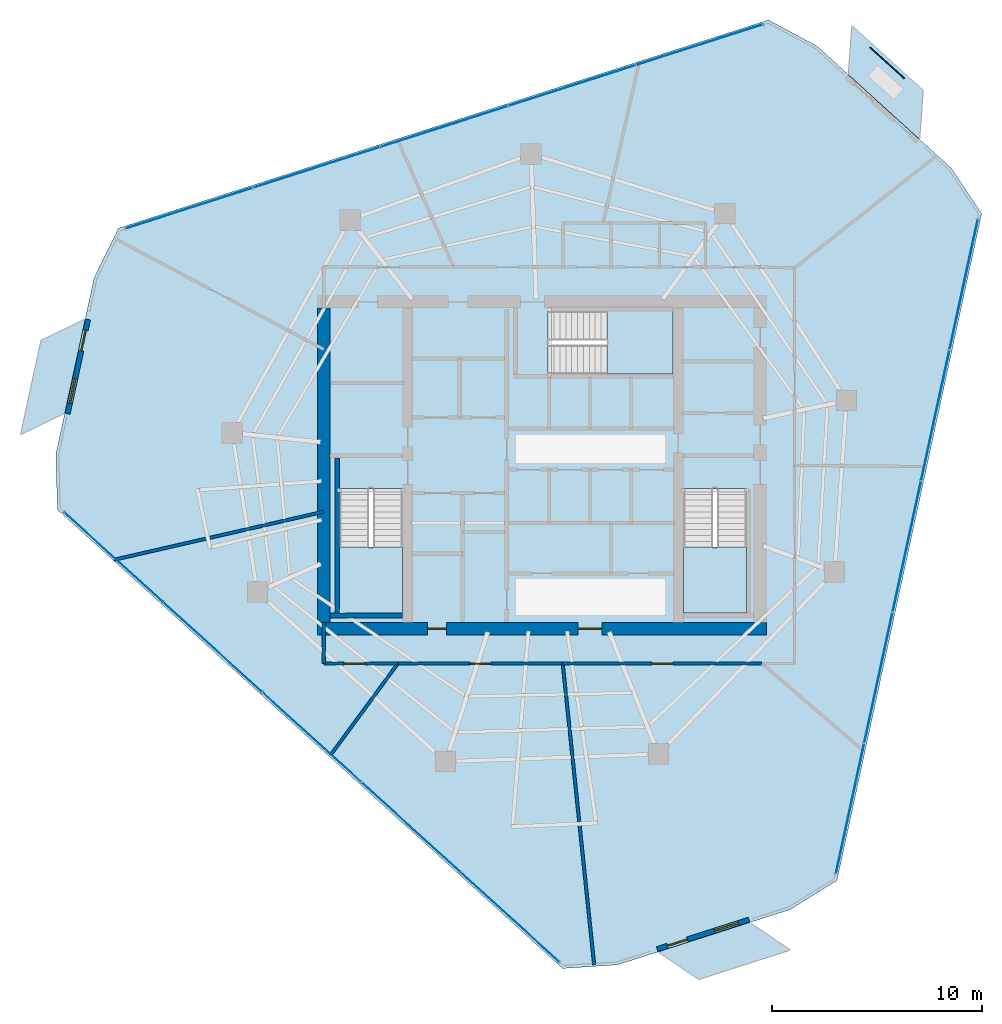
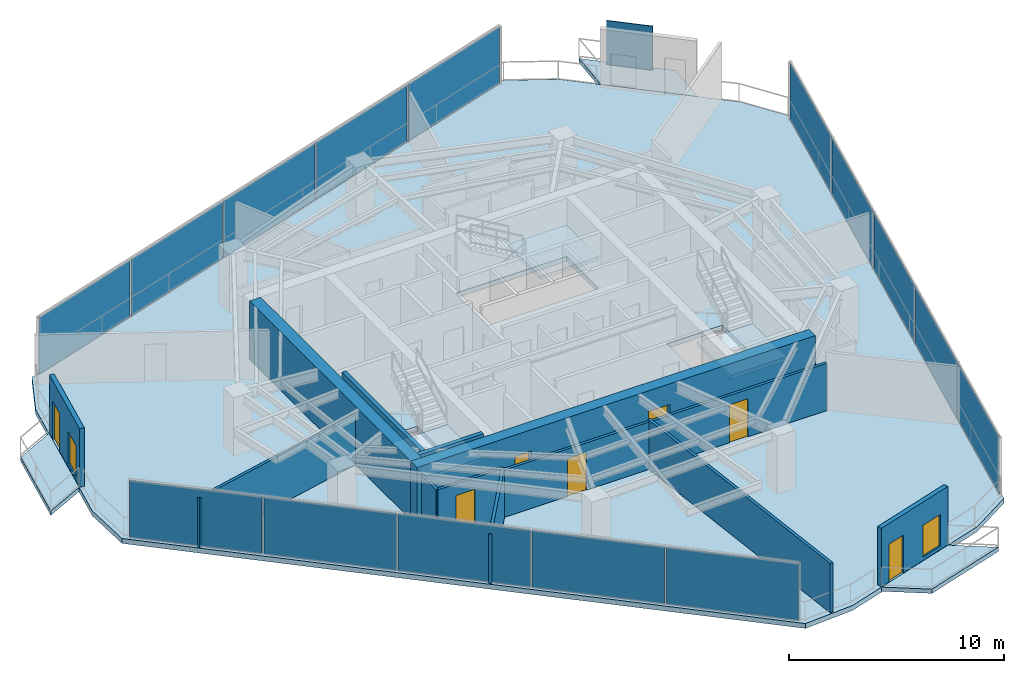
# One storey, part 16 of 21: 16 plates, 13 walls, 7 doors, 7 slabs, 2 windows, 9 openings, 6 elements without a shape of their own.
"""IFC4 building model written with IfcOpenShell, lengths in metres."""

from ifc_helpers import new_model, si_unit, direction, frame, frame_2d, origin, origin_2d, place, context, subcontext, project, spatial, polyline, rectangle, outline, extrude, material, layer, layer_set, type_object, element, fill, aggregate, save


model = new_model("IFC4")

# Units and contexts
model_context = context("Model", 3, precision=1e-05, world=origin(), true_north=direction((0.0, 1.0)))
body_context = subcontext(model_context, "Body", "Model", "MODEL_VIEW")
ifc_project = project(units=[si_unit("LENGTHUNIT", "METRE"), si_unit("AREAUNIT", "SQUARE_METRE"), si_unit("VOLUMEUNIT", "CUBIC_METRE"), si_unit("PLANEANGLEUNIT", "RADIAN"), si_unit("MASSUNIT", "GRAM", prefix="KILO")], contexts=[model_context])

# Site, building, storey
site_placement = place(None, origin())
site = spatial("IfcSite", under=ifc_project, at=site_placement, CompositionType="ELEMENT")
building_placement = place(site_placement, origin())
building = spatial("IfcBuilding", under=site, at=building_placement, Name="Qarnah Convention Tower", CompositionType="ELEMENT")
storey_placement = place(building_placement, frame((0.0, 0.0, 132.89990234375)))
storey = spatial("IfcBuildingStorey", under=building, at=storey_placement, Name="L35", CompositionType="ELEMENT", Elevation=132.89990234375)

# Curtain wall, plates
ifc_material_1 = material(Name="Tempered Low-E dark glass", Category="glass")
ifc_layer_1 = layer(ifc_material_1, 0.172119140625)
ifc_layer_set_1 = layer_set([ifc_layer_1], Name="Tempered Low-E dark glass")
curtain_wall_type = type_object("IfcCurtainWallType", Name="CWS-03", PredefinedType="NOTDEFINED", material=ifc_layer_set_1)
curtain_wall_1_placement = place(storey_placement, origin())
curtain_wall_1 = element("IfcCurtainWall", 1, at=curtain_wall_1_placement, inside=storey, type_object=curtain_wall_type, Name="L35 unitised curtain wall CW-L35-F1", PredefinedType="NOTDEFINED")
ifc_layer_2 = layer(ifc_material_1, 0.031982421875)
ifc_layer_set_2 = layer_set([ifc_layer_2], Name="Tempered Low-E dark glass")
plate_type_1 = type_object("IfcPlateType", Name="PNL-T3", PredefinedType="CURTAIN_PANEL", material=ifc_layer_set_2)
plate_1_placement = place(storey_placement, frame((35.685546875, 4.849853515625, 0.0400390625), z_axis=(0.0, 0.0, 1.0), x_axis=(-0.740352220508, 0.672219152947, 0.0)))
plate_1 = element("IfcPlate", 2, at=plate_1_placement, type_object=plate_type_1, Name="CW-L35-F1 curtain panel 1.1", PredefinedType="CURTAIN_PANEL", context=body_context, shape_type="SweptSolid", body=[
    extrude(rectangle(XDim=6.3076171875, YDim=0.031982421875, at=origin_2d()), origin(), (0.0, 0.0, 1.0), 3.239990234375),
])
plate_2_placement = place(storey_placement, frame((30.95654296875, 9.143798828125, 0.0400390625), z_axis=(0.0, 0.0, 1.0), x_axis=(-0.740352220508, 0.672219152947, 0.0)))
plate_2 = element("IfcPlate", 3, at=plate_2_placement, type_object=plate_type_1, Name="CW-L35-F1 curtain panel 2.1", PredefinedType="CURTAIN_PANEL", context=body_context, shape_type="SweptSolid", body=[
    extrude(rectangle(XDim=6.3076171875, YDim=0.031982421875, at=origin_2d()), origin(), (0.0, 0.0, 1.0), 3.239990234375),
])
plate_3_placement = place(storey_placement, frame((26.2275390625, 13.4375, 0.0400390625), z_axis=(0.0, 0.0, 1.0), x_axis=(-0.740352220508, 0.672219152947, 0.0)))
plate_3 = element("IfcPlate", 4, at=plate_3_placement, type_object=plate_type_1, Name="CW-L35-F1 curtain panel 3.1", PredefinedType="CURTAIN_PANEL", context=body_context, shape_type="SweptSolid", body=[
    extrude(rectangle(XDim=6.3076171875, YDim=0.031982421875, at=origin_2d()), origin(), (0.0, 0.0, 1.0), 3.239990234375),
])
plate_4_placement = place(storey_placement, frame((21.49853515625, 17.731201171875, 0.0400390625), z_axis=(0.0, 0.0, 1.0), x_axis=(-0.740352220508, 0.672219152947, 0.0)))
plate_4 = element("IfcPlate", 5, at=plate_4_placement, type_object=plate_type_1, Name="CW-L35-F1 curtain panel 4.1", PredefinedType="CURTAIN_PANEL", context=body_context, shape_type="SweptSolid", body=[
    extrude(rectangle(XDim=6.3076171875, YDim=0.031982421875, at=origin_2d()), origin(), (0.0, 0.0, 1.0), 3.239990234375),
])
plate_5_placement = place(storey_placement, frame((16.76953125, 22.025146484375, 0.0400390625), z_axis=(0.0, 0.0, 1.0), x_axis=(-0.740352220508, 0.672219152947, 0.0)))
plate_5 = element("IfcPlate", 6, at=plate_5_placement, type_object=plate_type_1, Name="CW-L35-F1 curtain panel 5.1", PredefinedType="CURTAIN_PANEL", context=body_context, shape_type="SweptSolid", body=[
    extrude(rectangle(XDim=6.3076171875, YDim=0.031982421875, at=origin_2d()), origin(), (0.0, 0.0, 1.0), 3.239990234375),
])
aggregate(curtain_wall_1, [plate_1, plate_2, plate_3, plate_4, plate_5])

curtain_wall_2_placement = place(storey_placement, origin())
curtain_wall_2 = element("IfcCurtainWall", 7, at=curtain_wall_2_placement, inside=storey, type_object=curtain_wall_type, Name="L35 unitised curtain wall CW-L35-F2", PredefinedType="NOTDEFINED")
plate_6_placement = place(storey_placement, frame((20.377685546875, 38.658203125, 0.0400390625), z_axis=(0.0, 0.0, 1.0), x_axis=(0.952343406787, 0.305027925851, 0.0)))
plate_6 = element("IfcPlate", 8, at=plate_6_placement, type_object=plate_type_1, Name="CW-L35-F2 curtain panel 1.1", PredefinedType="CURTAIN_PANEL", context=body_context, shape_type="SweptSolid", body=[
    extrude(rectangle(XDim=6.3076171875, YDim=0.031982421875, at=origin_2d()), origin(), (0.0, 0.0, 1.0), 3.239990234375),
])
plate_7_placement = place(storey_placement, frame((26.460693359375, 40.606689453125, 0.0400390625), z_axis=(0.0, 0.0, 1.0), x_axis=(0.952343406787, 0.305027925851, 0.0)))
plate_7 = element("IfcPlate", 9, at=plate_7_placement, type_object=plate_type_1, Name="CW-L35-F2 curtain panel 2.1", PredefinedType="CURTAIN_PANEL", context=body_context, shape_type="SweptSolid", body=[
    extrude(rectangle(XDim=6.3076171875, YDim=0.031982421875, at=origin_2d()), origin(), (0.0, 0.0, 1.0), 3.239990234375),
])
plate_8_placement = place(storey_placement, frame((32.5439453125, 42.554931640625, 0.0400390625), z_axis=(0.0, 0.0, 1.0), x_axis=(0.952343406787, 0.305027925851, 0.0)))
plate_8 = element("IfcPlate", 10, at=plate_8_placement, type_object=plate_type_1, Name="CW-L35-F2 curtain panel 3.1", PredefinedType="CURTAIN_PANEL", context=body_context, shape_type="SweptSolid", body=[
    extrude(rectangle(XDim=6.3076171875, YDim=0.031982421875, at=origin_2d()), origin(), (0.0, 0.0, 1.0), 3.239990234375),
])
plate_9_placement = place(storey_placement, frame((38.627197265625, 44.50341796875, 0.0400390625), z_axis=(0.0, 0.0, 1.0), x_axis=(0.952343406787, 0.305027925851, 0.0)))
plate_9 = element("IfcPlate", 11, at=plate_9_placement, type_object=plate_type_1, Name="CW-L35-F2 curtain panel 4.1", PredefinedType="CURTAIN_PANEL", context=body_context, shape_type="SweptSolid", body=[
    extrude(rectangle(XDim=6.3076171875, YDim=0.031982421875, at=origin_2d()), origin(), (0.0, 0.0, 1.0), 3.239990234375),
])
plate_10_placement = place(storey_placement, frame((44.71044921875, 46.451904296875, 0.0400390625), z_axis=(0.0, 0.0, 1.0), x_axis=(0.952343406787, 0.305027925851, 0.0)))
plate_10 = element("IfcPlate", 12, at=plate_10_placement, type_object=plate_type_1, Name="CW-L35-F2 curtain panel 5.1", PredefinedType="CURTAIN_PANEL", context=body_context, shape_type="SweptSolid", body=[
    extrude(rectangle(XDim=6.3076171875, YDim=0.031982421875, at=origin_2d()), origin(), (0.0, 0.0, 1.0), 3.239990234375),
])
aggregate(curtain_wall_2, [plate_6, plate_7, plate_8, plate_9, plate_10])

curtain_wall_3_placement = place(storey_placement, origin())
curtain_wall_3 = element("IfcCurtainWall", 13, at=curtain_wall_3_placement, inside=storey, type_object=curtain_wall_type, Name="L35 unitised curtain wall CW-L35-F3", PredefinedType="NOTDEFINED")
plate_11_placement = place(storey_placement, frame((57.309814453125, 35.010009765625, 0.0400390625), z_axis=(0.0, 0.0, 1.0), x_axis=(-0.21201753146, -0.977265862677, 0.0)))
plate_11 = element("IfcPlate", 14, at=plate_11_placement, type_object=plate_type_1, Name="CW-L35-F3 curtain panel 1.1", PredefinedType="CURTAIN_PANEL", context=body_context, shape_type="SweptSolid", body=[
    extrude(rectangle(XDim=6.30712890625, YDim=0.031982421875, at=origin_2d()), origin(), (0.0, 0.0, 1.0), 3.239990234375),
])
plate_12_placement = place(storey_placement, frame((55.955810546875, 28.76806640625, 0.0400390625), z_axis=(0.0, 0.0, 1.0), x_axis=(-0.21201753146, -0.977265862677, 0.0)))
plate_12 = element("IfcPlate", 15, at=plate_12_placement, type_object=plate_type_1, Name="CW-L35-F3 curtain panel 2.1", PredefinedType="CURTAIN_PANEL", context=body_context, shape_type="SweptSolid", body=[
    extrude(rectangle(XDim=6.30712890625, YDim=0.031982421875, at=origin_2d()), origin(), (0.0, 0.0, 1.0), 3.239990234375),
])
plate_13_placement = place(storey_placement, frame((54.6015625, 22.52587890625, 0.0400390625), z_axis=(0.0, 0.0, 1.0), x_axis=(-0.21201753146, -0.977265862677, 0.0)))
plate_13 = element("IfcPlate", 16, at=plate_13_placement, type_object=plate_type_1, Name="CW-L35-F3 curtain panel 3.1", PredefinedType="CURTAIN_PANEL", context=body_context, shape_type="SweptSolid", body=[
    extrude(rectangle(XDim=6.30712890625, YDim=0.031982421875, at=origin_2d()), origin(), (0.0, 0.0, 1.0), 3.239990234375),
])
plate_14_placement = place(storey_placement, frame((53.247314453125, 16.283935546875, 0.0400390625), z_axis=(0.0, 0.0, 1.0), x_axis=(-0.21201753146, -0.977265862677, 0.0)))
plate_14 = element("IfcPlate", 17, at=plate_14_placement, type_object=plate_type_1, Name="CW-L35-F3 curtain panel 4.1", PredefinedType="CURTAIN_PANEL", context=body_context, shape_type="SweptSolid", body=[
    extrude(rectangle(XDim=6.30712890625, YDim=0.031982421875, at=origin_2d()), origin(), (0.0, 0.0, 1.0), 3.239990234375),
])
plate_15_placement = place(storey_placement, frame((51.89306640625, 10.0419921875, 0.0400390625), z_axis=(0.0, 0.0, 1.0), x_axis=(-0.21201753146, -0.977265862677, 0.0)))
plate_15 = element("IfcPlate", 18, at=plate_15_placement, type_object=plate_type_1, Name="CW-L35-F3 curtain panel 5.1", PredefinedType="CURTAIN_PANEL", context=body_context, shape_type="SweptSolid", body=[
    extrude(rectangle(XDim=6.30712890625, YDim=0.031982421875, at=origin_2d()), origin(), (0.0, 0.0, 1.0), 3.239990234375),
])
aggregate(curtain_wall_3, [plate_11, plate_12, plate_13, plate_14, plate_15])

# Plate
ifc_material_2 = material(Name="Black anodised aluminium", Category="aluminium")
ifc_layer_3 = layer(ifc_material_2, 0.044921875)
ifc_layer_set_3 = layer_set([ifc_layer_3], Name="Black anodised aluminium")
plate_type_2 = type_object("IfcPlateType", Name="SCR-BAL-18", PredefinedType="USERDEFINED", material=ifc_layer_set_3)
plate_16_placement = place(storey_placement, frame((53.6640625, 45.583984375, 0.0), z_axis=(0.0, 0.0, 1.0), x_axis=(0.740314347025, -0.672260862752, 0.0)))
element("IfcPlate", 19, at=plate_16_placement, inside=storey, type_object=plate_type_2, Name="L35 perforated desert solar screen BAL-L35-C1", ObjectType="SCREEN", PredefinedType="USERDEFINED", context=body_context, shape_type="SweptSolid", body=[
    extrude(rectangle(XDim=2.199951171875, YDim=0.044921875, at=origin_2d()), origin(), (0.0, 0.0, 1.0), 2.5),
])

# Slabs
ifc_material_3 = material(Name="Concrete C45/55", Category="concrete")
ifc_layer_4 = layer(ifc_material_3, 0.239990234375)
ifc_layer_set_4 = layer_set([ifc_layer_4], Name="Concrete C45/55")
slab_type_1 = type_object("IfcSlabType", Name="SLB-BAL-240", PredefinedType="USERDEFINED", material=ifc_layer_set_4)
slab_1_placement = place(storey_placement, frame((0.0, 0.0, -0.239990234375)))
element("IfcSlab", 20, at=slab_1_placement, inside=storey, type_object=slab_type_1, Name="L35 cantilevered balcony slab BAL-L35-C1", ObjectType="BALCONY", PredefinedType="USERDEFINED", context=body_context, shape_type="SweptSolid", body=[
    extrude(outline(polyline([(51.97900390625, 47.368896484375), (55.384033203125, 44.277099609375), (55.2109375, 41.93701171875), (51.804931640625, 45.030029296875), (51.97900390625, 47.368896484375)])), origin(), (0.0, 0.0, 1.0), 0.239990234375),
])
slab_2_placement = place(storey_placement, frame((0.0, 0.0, -0.239990234375)))
element("IfcSlab", 21, at=slab_2_placement, inside=storey, type_object=slab_type_1, Name="L35 cantilevered balcony slab BAL-L35-C2", ObjectType="BALCONY", PredefinedType="USERDEFINED", context=body_context, shape_type="SweptSolid", body=[
    extrude(outline(polyline([(12.341064453125, 27.862060546875), (13.31591796875, 32.35693359375), (15.428955078125, 33.376953125), (14.4541015625, 28.882080078125), (12.341064453125, 27.862060546875)])), origin(), (0.0, 0.0, 1.0), 0.239990234375),
])
slab_3_placement = place(storey_placement, frame((0.0, 0.0, -0.239990234375)))
element("IfcSlab", 22, at=slab_3_placement, inside=storey, type_object=slab_type_1, Name="L35 cantilevered balcony slab BAL-L35-C3", ObjectType="BALCONY", PredefinedType="USERDEFINED", context=body_context, shape_type="SweptSolid", body=[
    extrude(outline(polyline([(49.053955078125, 3.2880859375), (44.673095703125, 1.885009765625), (42.73291015625, 3.205078125), (47.114013671875, 4.60888671875), (49.053955078125, 3.2880859375)])), origin(), (0.0, 0.0, 1.0), 0.239990234375),
])

# Stair, slab
ifc_material_4 = material(Name="Concrete C50/60", Category="concrete")
stair_type = type_object("IfcStairType", Name="STR-OFF", PredefinedType="HALF_TURN_STAIR", material=ifc_material_4)
stair_1_placement = place(storey_placement, origin())
stair_1 = element("IfcStair", 23, at=stair_1_placement, inside=storey, type_object=stair_type, Name="L35 Core exit stair ST-1", PredefinedType="HALF_TURN_STAIR")
ifc_layer_5 = layer(ifc_material_4, 0.199951171875)
ifc_layer_set_5 = layer_set([ifc_layer_5], Name="Concrete C50/60")
slab_type_2 = type_object("IfcSlabType", Name="SLB-LANDING-200", PredefinedType="LANDING", material=ifc_layer_set_5)
slab_4_placement = place(storey_placement, frame((0.0, 0.0, 1.60009765625)))
slab_4 = element("IfcSlab", 24, at=slab_4_placement, type_object=slab_type_2, Name="ST-1 landing 1", PredefinedType="LANDING", context=body_context, shape_type="SweptSolid", body=[
    extrude(outline(polyline([(27.550048828125, 22.5), (27.550048828125, 19.35009765625), (30.550048828125, 19.35009765625), (30.550048828125, 22.5), (27.550048828125, 22.5)])), origin(), (0.0, 0.0, 1.0), 0.199951171875),
])
aggregate(stair_1, [slab_4])

stair_2_placement = place(storey_placement, origin())
stair_2 = element("IfcStair", 25, at=stair_2_placement, inside=storey, type_object=stair_type, Name="L35 Core exit stair ST-2", PredefinedType="HALF_TURN_STAIR")
slab_5_placement = place(storey_placement, frame((0.0, 0.0, 1.60009765625)))
slab_5 = element("IfcSlab", 26, at=slab_5_placement, type_object=slab_type_2, Name="ST-2 landing 1", PredefinedType="LANDING", context=body_context, shape_type="SweptSolid", body=[
    extrude(outline(polyline([(43.949951171875, 22.5), (43.949951171875, 19.35009765625), (46.949951171875, 19.35009765625), (46.949951171875, 22.5), (43.949951171875, 22.5)])), origin(), (0.0, 0.0, 1.0), 0.199951171875),
])
aggregate(stair_2, [slab_5])

stair_3_placement = place(storey_placement, origin())
stair_3 = element("IfcStair", 27, at=stair_3_placement, inside=storey, type_object=stair_type, Name="L35 Core exit stair ST-3", PredefinedType="HALF_TURN_STAIR")
slab_6_placement = place(storey_placement, frame((0.0, 0.0, 1.60009765625)))
slab_6 = element("IfcSlab", 28, at=slab_6_placement, type_object=slab_type_2, Name="ST-3 landing 1", PredefinedType="LANDING", context=body_context, shape_type="SweptSolid", body=[
    extrude(outline(polyline([(40.300048828125, 30.75), (43.449951171875, 30.75), (43.449951171875, 33.75), (40.300048828125, 33.75), (40.300048828125, 30.75)])), origin(), (0.0, 0.0, 1.0), 0.199951171875),
])
aggregate(stair_3, [slab_6])

# Slab
ifc_layer_6 = layer(ifc_material_3, 0.280029296875)
ifc_layer_set_6 = layer_set([ifc_layer_6], Name="Concrete C45/55")
slab_type_3 = type_object("IfcSlabType", Name="SLB-TWR-280", PredefinedType="FLOOR", material=ifc_layer_set_6)
slab_7_placement = place(storey_placement, frame((0.0, 0.0, -0.27978515625)))
element("IfcSlab", 29, at=slab_7_placement, inside=storey, type_object=slab_type_3, Name="L35 structural floor slab", PredefinedType="FLOOR", context=body_context, shape_type="SweptSolid", body=[
    extrude(outline(polyline([(48.0009765625, 47.632080078125), (17.013916015625, 37.70703125), (15.85400390625, 35.35400390625), (14.02197265625, 26.907958984375), (14.10205078125, 24.284912109375), (38.19091796875, 2.412109375), (40.80908203125, 2.5849609375), (49.0390625, 5.220947265625), (51.27001953125, 6.60205078125), (58.16796875, 38.39892578125), (56.7099609375, 40.5810546875), (50.31201171875, 46.39111328125), (48.0009765625, 47.632080078125)]), holes=[polyline([(27.550048828125, 25.300048828125), (27.550048828125, 19.35009765625), (30.550048828125, 19.35009765625), (30.550048828125, 25.300048828125), (27.550048828125, 25.300048828125)]), polyline([(43.949951171875, 25.300048828125), (43.949951171875, 19.35009765625), (46.949951171875, 19.35009765625), (46.949951171875, 25.300048828125), (43.949951171875, 25.300048828125)]), polyline([(37.5, 30.75), (43.449951171875, 30.75), (43.449951171875, 33.75), (37.5, 33.75), (37.5, 30.75)])]), origin(), (0.0, 0.0, 1.0), 0.27978515625),
])

# Wall, openings, doors
ifc_material_5 = material(Name="Concrete C60/75", Category="concrete")
ifc_layer_7 = layer(ifc_material_5, 0.60009765625)
ifc_layer_set_7 = layer_set([ifc_layer_7], Name="Concrete C60/75")
wall_type_1 = type_object("IfcWallType", Name="WL-CORE-600", PredefinedType="SHEAR", material=ifc_layer_set_7)
wall_1_placement = place(storey_placement, frame((26.5, 18.60009765625, 0.0), z_axis=(0.0, 0.0, 1.0), x_axis=(1.0, 0.0, 0.0)))
wall_1 = element("IfcWall", 30, at=wall_1_placement, inside=storey, type_object=wall_type_1, Name="L35 core south shear wall", PredefinedType="SHEAR", context=body_context, shape_type="SweptSolid", body=[
    extrude(rectangle(XDim=21.39990234375, YDim=0.60009765625, at=frame_2d((10.699951171875, 0.0))), origin(), (0.0, 0.0, 1.0), 3.320068359375),
])
opening_1_placement = place(wall_1_placement, frame((12.425048828125, 0.0, 0.0)))
opening_1 = element("IfcOpeningElement", 31, at=opening_1_placement, cuts=wall_1, Name="Opening D-3507", PredefinedType="OPENING", context=body_context, shape_type="SweptSolid", body=[
    extrude(rectangle(XDim=1.14990234375, YDim=2.14990234375, at=frame_2d((0.574951171875, 1.074951171875))), frame((0.0, 0.31005859375, 0.0), z_axis=(0.0, -1.0, 0.0), x_axis=(1.0, 0.0, 0.0)), (0.0, 0.0, 1.0), 0.6201171875),
])
opening_2_placement = place(wall_1_placement, frame((5.25, 0.0, 0.0)))
opening_2 = element("IfcOpeningElement", 32, at=opening_2_placement, cuts=wall_1, Name="Opening D-3513", PredefinedType="OPENING", context=body_context, shape_type="SweptSolid", body=[
    extrude(rectangle(XDim=0.89990234375, YDim=2.10009765625, at=frame_2d((0.449951171875, 1.050048828125))), frame((0.0, 0.31005859375, 0.0), z_axis=(0.0, -1.0, 0.0), x_axis=(1.0, 0.0, 0.0)), (0.0, 0.0, 1.0), 0.6201171875),
])
ifc_material_6 = material(Name="Structural steel S355JR", Category="steel")
door_type_1 = type_object("IfcDoorType", Name="DT-LOBBY-1150", OperationType="NOTDEFINED", PredefinedType="DOOR", material=ifc_material_6)
door_1_placement = place(opening_1_placement, origin())
door_1 = element("IfcDoor", 33, at=door_1_placement, inside=storey, type_object=door_type_1, Name="Door D-3507", OperationType="SINGLE_SWING_LEFT", OverallHeight=2.14990234375, OverallWidth=1.14990234375, PredefinedType="DOOR", context=body_context, shape_type="SweptSolid", body=[
    extrude(rectangle(XDim=1.14990234375, YDim=2.14990234375, at=frame_2d((0.574951171875, 1.074951171875))), frame((0.0, 0.02490234375, 0.0), z_axis=(0.0, -1.0, 0.0), x_axis=(1.0, 0.0, 0.0)), (0.0, 0.0, 1.0), 0.050048828125),
])
fill(opening_1, door_1)
door_type_2 = type_object("IfcDoorType", Name="DT-RISER-900", OperationType="NOTDEFINED", PredefinedType="DOOR", material=ifc_material_6)
door_2_placement = place(opening_2_placement, origin())
door_2 = element("IfcDoor", 34, at=door_2_placement, inside=storey, type_object=door_type_2, Name="Door D-3513", OperationType="SINGLE_SWING_LEFT", OverallHeight=2.10009765625, OverallWidth=0.89990234375, PredefinedType="DOOR", context=body_context, shape_type="SweptSolid", body=[
    extrude(rectangle(XDim=0.89990234375, YDim=2.10009765625, at=frame_2d((0.449951171875, 1.050048828125))), frame((0.0, 0.02490234375, 0.0), z_axis=(0.0, -1.0, 0.0), x_axis=(1.0, 0.0, 0.0)), (0.0, 0.0, 1.0), 0.050048828125),
])
fill(opening_2, door_2)

# Walls
wall_2_placement = place(storey_placement, frame((26.800048828125, 18.89990234375, 0.0), z_axis=(0.0, 0.0, 1.0), x_axis=(0.0, 1.0, 0.0)))
element("IfcWall", 35, at=wall_2_placement, inside=storey, type_object=wall_type_1, Name="L35 core west shear wall", PredefinedType="SHEAR", context=body_context, shape_type="SweptSolid", body=[
    extrude(rectangle(XDim=15.0, YDim=0.60009765625, at=frame_2d((7.5, 0.0))), origin(), (0.0, 0.0, 1.0), 3.320068359375),
])
ifc_layer_8 = layer(ifc_material_5, 0.219970703125)
ifc_layer_set_8 = layer_set([ifc_layer_8], Name="Concrete C60/75")
wall_type_2 = type_object("IfcWallType", Name="WL-CORE-STAIR-220", PredefinedType="SHEAR", material=ifc_layer_set_8)
wall_3_placement = place(storey_placement, frame((27.43994140625, 19.35009765625, 0.0), z_axis=(0.0, 0.0, 1.0), x_axis=(0.0, 1.0, 0.0)))
element("IfcWall", 36, at=wall_3_placement, inside=storey, type_object=wall_type_2, Name="L35 stair shaft shear wall SW-L35-ST1W", PredefinedType="SHEAR", context=body_context, shape_type="SweptSolid", body=[
    extrude(rectangle(XDim=7.39990234375, YDim=0.219970703125, at=frame_2d((3.699951171875, 0.0))), origin(), (0.0, 0.0, 1.0), 3.320068359375),
])
wall_4_placement = place(storey_placement, frame((27.10009765625, 19.239990234375, 0.0), z_axis=(0.0, 0.0, 1.0), x_axis=(1.0, 0.0, 0.0)))
element("IfcWall", 37, at=wall_4_placement, inside=storey, type_object=wall_type_2, Name="L35 stair shaft shear wall SW-L35-ST1S", PredefinedType="SHEAR", context=body_context, shape_type="SweptSolid", body=[
    extrude(rectangle(XDim=3.449951171875, YDim=0.219970703125, at=frame_2d((1.72509765625, 0.0))), origin(), (0.0, 0.0, 1.0), 3.320068359375),
])

# Wall, openings, door, window
ifc_material_7 = material(Name="Precast concrete C45/55", Category="concrete")
ifc_layer_9 = layer(ifc_material_7, 0.239990234375)
ifc_layer_set_9 = layer_set([ifc_layer_9], Name="Precast concrete C45/55")
wall_type_3 = type_object("IfcWallType", Name="WL-EXT-BAL-240", PredefinedType="SOLIDWALL", material=ifc_layer_set_9)
wall_5_placement = place(storey_placement, frame((14.5869140625, 28.85302734375, 0.0), z_axis=(0.0, 0.0, 1.0), x_axis=(0.211949334183, 0.977280655564, 0.0)))
wall_5 = element("IfcWall", 38, at=wall_5_placement, inside=storey, type_object=wall_type_3, Name="L35 loggia threshold wall BAL-L35-C2", PredefinedType="SOLIDWALL", context=body_context, shape_type="SweptSolid", body=[
    extrude(rectangle(XDim=4.6005859375, YDim=0.239990234375, at=frame_2d((2.30029296875, 0.0))), origin(), (0.0, 0.0, 1.0), 3.320068359375),
])
opening_3_placement = place(wall_5_placement, frame((3.0810546875, 0.0, 0.0)))
opening_3 = element("IfcOpeningElement", 39, at=opening_3_placement, cuts=wall_5, Name="Opening BD-3502", PredefinedType="OPENING", context=body_context, shape_type="SweptSolid", body=[
    extrude(rectangle(XDim=1.0, YDim=2.14990234375, at=frame_2d((0.5, 1.074951171875))), frame((0.0, 0.1298828125, 0.0), z_axis=(0.0, -1.0, 0.0), x_axis=(1.0, 0.0, 0.0)), (0.0, 0.0, 1.0), 0.260009765625),
])
opening_4_placement = place(wall_5_placement, frame((0.52001953125, 0.0, 0.199951171875)))
opening_4 = element("IfcOpeningElement", 40, at=opening_4_placement, cuts=wall_5, Name="Opening WN5", PredefinedType="OPENING", context=body_context, shape_type="SweptSolid", body=[
    extrude(rectangle(XDim=1.199951171875, YDim=1.800048828125, at=frame_2d((0.60009765625, 0.89990234375))), frame((0.0, 0.1298828125, 0.0), z_axis=(0.0, -1.0, 0.0), x_axis=(1.0, 0.0, 0.0)), (0.0, 0.0, 1.0), 0.260009765625),
])
door_type_3 = type_object("IfcDoorType", Name="DT-BAL-1000", OperationType="NOTDEFINED", PredefinedType="DOOR", material=ifc_material_2)
door_3_placement = place(opening_3_placement, origin())
door_3 = element("IfcDoor", 41, at=door_3_placement, inside=storey, type_object=door_type_3, Name="L35 balcony terrace door BAL-L35-C2", OperationType="SINGLE_SWING_LEFT", OverallHeight=2.14990234375, OverallWidth=1.0, PredefinedType="DOOR", context=body_context, shape_type="SweptSolid", body=[
    extrude(rectangle(XDim=1.0, YDim=2.14990234375, at=frame_2d((0.5, 1.074951171875))), frame((0.0, 0.02490234375, 0.0), z_axis=(0.0, -1.0, 0.0), x_axis=(1.0, 0.0, 0.0)), (0.0, 0.0, 1.0), 0.050048828125),
])
fill(opening_3, door_3)
window_type = type_object("IfcWindowType", Name="WT-BAL-1200X1800", PartitioningType="SINGLE_PANEL", PredefinedType="WINDOW", material=ifc_material_1)
window_1_placement = place(opening_4_placement, origin())
window_1 = element("IfcWindow", 42, at=window_1_placement, inside=storey, type_object=window_type, Name="Window BW-BAL-L35-C2", OverallHeight=1.800048828125, OverallWidth=1.199951171875, PartitioningType="SINGLE_PANEL", PredefinedType="WINDOW", context=body_context, shape_type="SweptSolid", body=[
    extrude(rectangle(XDim=1.199951171875, YDim=1.800048828125, at=frame_2d((0.60009765625, 0.89990234375))), frame((0.0, 0.030029296875, 0.0), z_axis=(0.0, -1.0, 0.0), x_axis=(1.0, 0.0, 0.0)), (0.0, 0.0, 1.0), 0.06005859375),
])
fill(opening_4, window_1)

wall_6_placement = place(storey_placement, frame((47.072021484375, 4.738037109375, 0.0), z_axis=(0.0, 0.0, 1.0), x_axis=(-0.952291581684, -0.305189684384, 0.0)))
wall_6 = element("IfcWall", 43, at=wall_6_placement, inside=storey, type_object=wall_type_3, Name="L35 loggia threshold wall BAL-L35-C3", PredefinedType="SOLIDWALL", context=body_context, shape_type="SweptSolid", body=[
    extrude(rectangle(XDim=4.6005859375, YDim=0.239990234375, at=frame_2d((2.30029296875, 0.0))), origin(), (0.0, 0.0, 1.0), 3.320068359375),
])
opening_5_placement = place(wall_6_placement, frame((3.080078125, 0.0, 0.0)))
opening_5 = element("IfcOpeningElement", 44, at=opening_5_placement, cuts=wall_6, Name="Opening BD-3503", PredefinedType="OPENING", context=body_context, shape_type="SweptSolid", body=[
    extrude(rectangle(XDim=1.0, YDim=2.14990234375, at=frame_2d((0.5, 1.074951171875))), frame((0.0, 0.1298828125, 0.0), z_axis=(0.0, -1.0, 0.0), x_axis=(1.0, 0.0, 0.0)), (0.0, 0.0, 1.0), 0.260009765625),
])
opening_6_placement = place(wall_6_placement, frame((0.52001953125, 0.0, 0.199951171875)))
opening_6 = element("IfcOpeningElement", 45, at=opening_6_placement, cuts=wall_6, Name="Opening WN5", PredefinedType="OPENING", context=body_context, shape_type="SweptSolid", body=[
    extrude(rectangle(XDim=1.199951171875, YDim=1.800048828125, at=frame_2d((0.60009765625, 0.89990234375))), frame((0.0, 0.1298828125, 0.0), z_axis=(0.0, -1.0, 0.0), x_axis=(1.0, 0.0, 0.0)), (0.0, 0.0, 1.0), 0.260009765625),
])
door_4_placement = place(opening_5_placement, origin())
door_4 = element("IfcDoor", 46, at=door_4_placement, inside=storey, type_object=door_type_3, Name="L35 balcony terrace door BAL-L35-C3", OperationType="SINGLE_SWING_RIGHT", OverallHeight=2.14990234375, OverallWidth=1.0, PredefinedType="DOOR", context=body_context, shape_type="SweptSolid", body=[
    extrude(rectangle(XDim=1.0, YDim=2.14990234375, at=frame_2d((0.5, 1.074951171875))), frame((0.0, 0.02490234375, 0.0), z_axis=(0.0, -1.0, 0.0), x_axis=(1.0, 0.0, 0.0)), (0.0, 0.0, 1.0), 0.050048828125),
])
fill(opening_5, door_4)
window_2_placement = place(opening_6_placement, origin())
window_2 = element("IfcWindow", 47, at=window_2_placement, inside=storey, type_object=window_type, Name="Window BW-BAL-L35-C3", OverallHeight=1.800048828125, OverallWidth=1.199951171875, PartitioningType="SINGLE_PANEL", PredefinedType="WINDOW", context=body_context, shape_type="SweptSolid", body=[
    extrude(rectangle(XDim=1.199951171875, YDim=1.800048828125, at=frame_2d((0.60009765625, 0.89990234375))), frame((0.0, 0.030029296875, 0.0), z_axis=(0.0, -1.0, 0.0), x_axis=(1.0, 0.0, 0.0)), (0.0, 0.0, 1.0), 0.06005859375),
])
fill(opening_6, window_2)

# Walls
ifc_material_8 = material(Name="Gypsum partition board")
ifc_layer_10 = layer(ifc_material_8, 0.14990234375)
ifc_layer_set_10 = layer_set([ifc_layer_10], Name="Gypsum partition board")
wall_type_4 = type_object("IfcWallType", Name="WL-SUITE-150", PredefinedType="PARTITIONING", material=ifc_layer_set_10)
wall_7_placement = place(storey_placement, frame((16.822998046875, 21.902099609375, 0.0), z_axis=(0.0, 0.0, 1.0), x_axis=(0.974722580217, 0.223418646525, 0.0)))
element("IfcWall", 48, at=wall_7_placement, inside=storey, type_object=wall_type_4, Name="L35 interior wall IW-L35-R-23", PredefinedType="PARTITIONING", context=body_context, shape_type="SweptSolid", body=[
    extrude(rectangle(XDim=10.23583984375, YDim=0.14990234375, at=frame_2d((5.117919921875, 0.0))), origin(), (0.0, 0.0, 1.0), 2.80517578125),
])
wall_8_placement = place(storey_placement, frame((27.117919921875, 12.573974609375, 0.0), z_axis=(0.0, 0.0, 1.0), x_axis=(0.592203341455, 0.805788559344, 0.0)))
element("IfcWall", 49, at=wall_8_placement, inside=storey, type_object=wall_type_4, Name="L35 interior wall IW-L35-R-24", PredefinedType="PARTITIONING", context=body_context, shape_type="SweptSolid", body=[
    extrude(rectangle(XDim=5.4306640625, YDim=0.14990234375, at=frame_2d((2.71533203125, 0.0))), origin(), (0.0, 0.0, 1.0), 2.80517578125),
])

# Wall, opening, door
wall_9_placement = place(storey_placement, frame((30.333984375, 16.949951171875, 0.0), z_axis=(0.0, 0.0, 1.0), x_axis=(-1.0, 0.0, 0.0)))
wall_9 = element("IfcWall", 50, at=wall_9_placement, inside=storey, type_object=wall_type_4, Name="L35 interior wall IW-L35-R-25", PredefinedType="PARTITIONING", context=body_context, shape_type="SweptSolid", body=[
    extrude(rectangle(XDim=3.533935546875, YDim=0.14990234375, at=frame_2d((1.76708984375, 0.0))), origin(), (0.0, 0.0, 1.0), 2.80517578125),
])
opening_7_placement = place(wall_9_placement, frame((1.56005859375, 0.0, 0.0)))
opening_7 = element("IfcOpeningElement", 51, at=opening_7_placement, cuts=wall_9, Name="Opening D-3526", PredefinedType="OPENING", context=body_context, shape_type="SweptSolid", body=[
    extrude(rectangle(XDim=1.0, YDim=2.14990234375, at=frame_2d((0.5, 1.074951171875))), frame((0.0, 0.0849609375, 0.0), z_axis=(0.0, -1.0, 0.0), x_axis=(1.0, 0.0, 0.0)), (0.0, 0.0, 1.0), 0.169921875),
])
ifc_material_9 = material(Name="Oak timber veneer", Category="wood")
door_type_4 = type_object("IfcDoorType", Name="DT-OFFICE-1000", OperationType="NOTDEFINED", PredefinedType="DOOR", material=ifc_material_9)
door_5_placement = place(opening_7_placement, origin())
door_5 = element("IfcDoor", 52, at=door_5_placement, inside=storey, type_object=door_type_4, Name="Door D-3526", OperationType="SINGLE_SWING_RIGHT", OverallHeight=2.14990234375, OverallWidth=1.0, PredefinedType="DOOR", context=body_context, shape_type="SweptSolid", body=[
    extrude(rectangle(XDim=1.0, YDim=2.14990234375, at=frame_2d((0.5, 1.074951171875))), frame((0.0, 0.02490234375, 0.0), z_axis=(0.0, -1.0, 0.0), x_axis=(1.0, 0.0, 0.0)), (0.0, 0.0, 1.0), 0.050048828125),
])
fill(opening_7, door_5)

# Walls
wall_10_placement = place(storey_placement, frame((26.800048828125, 16.949951171875, 0.0), z_axis=(0.0, 0.0, 1.0), x_axis=(0.0, 1.0, 0.0)))
element("IfcWall", 53, at=wall_10_placement, inside=storey, type_object=wall_type_4, Name="L35 interior wall IW-L35-R-26", PredefinedType="PARTITIONING", context=body_context, shape_type="SweptSolid", body=[
    extrude(rectangle(XDim=1.949951171875, YDim=0.14990234375, at=frame_2d((0.97509765625, 0.0))), origin(), (0.0, 0.0, 1.0), 2.80517578125),
])
wall_11_placement = place(storey_placement, frame((39.69091796875, 2.591064453125, 0.0), z_axis=(0.0, 0.0, 1.0), x_axis=(-0.103748980771, 0.994603513461, 0.0)))
element("IfcWall", 54, at=wall_11_placement, inside=storey, type_object=wall_type_4, Name="L35 interior wall IW-L35-R-27", PredefinedType="PARTITIONING", context=body_context, shape_type="SweptSolid", body=[
    extrude(rectangle(XDim=14.436767578125, YDim=0.14990234375, at=frame_2d((7.21826171875, 0.0))), origin(), (0.0, 0.0, 1.0), 2.80517578125),
])

# Wall, opening, door
wall_12_placement = place(storey_placement, frame((38.193115234375, 16.949951171875, 0.0), z_axis=(0.0, 0.0, 1.0), x_axis=(-1.0, 0.0, 0.0)))
wall_12 = element("IfcWall", 55, at=wall_12_placement, inside=storey, type_object=wall_type_4, Name="L35 interior wall IW-L35-R-28", PredefinedType="PARTITIONING", context=body_context, shape_type="SweptSolid", body=[
    extrude(rectangle(XDim=7.859130859375, YDim=0.14990234375, at=frame_2d((3.9296875, 0.0))), origin(), (0.0, 0.0, 1.0), 2.68701171875),
])
opening_8_placement = place(wall_12_placement, frame((3.428955078125, 0.0, 0.0)))
opening_8 = element("IfcOpeningElement", 56, at=opening_8_placement, cuts=wall_12, Name="Opening D-3527", PredefinedType="OPENING", context=body_context, shape_type="SweptSolid", body=[
    extrude(rectangle(XDim=1.0, YDim=2.14990234375, at=frame_2d((0.5, 1.074951171875))), frame((0.0, 0.0849609375, 0.0), z_axis=(0.0, -1.0, 0.0), x_axis=(1.0, 0.0, 0.0)), (0.0, 0.0, 1.0), 0.169921875),
])
door_6_placement = place(opening_8_placement, origin())
door_6 = element("IfcDoor", 57, at=door_6_placement, inside=storey, type_object=door_type_4, Name="Door D-3527", OperationType="SINGLE_SWING_LEFT", OverallHeight=2.14990234375, OverallWidth=1.0, PredefinedType="DOOR", context=body_context, shape_type="SweptSolid", body=[
    extrude(rectangle(XDim=1.0, YDim=2.14990234375, at=frame_2d((0.5, 1.074951171875))), frame((0.0, 0.02490234375, 0.0), z_axis=(0.0, -1.0, 0.0), x_axis=(1.0, 0.0, 0.0)), (0.0, 0.0, 1.0), 0.050048828125),
])
fill(opening_8, door_6)

wall_13_placement = place(storey_placement, frame((47.695068359375, 16.949951171875, 0.0), z_axis=(0.0, 0.0, 1.0), x_axis=(-1.0, 0.0, 0.0)))
wall_13 = element("IfcWall", 58, at=wall_13_placement, inside=storey, type_object=wall_type_4, Name="L35 interior wall IW-L35-R-30", PredefinedType="PARTITIONING", context=body_context, shape_type="SweptSolid", body=[
    extrude(rectangle(XDim=9.501953125, YDim=0.14990234375, at=frame_2d((4.7509765625, 0.0))), origin(), (0.0, 0.0, 1.0), 2.68701171875),
])
opening_9_placement = place(wall_13_placement, frame((4.2509765625, 0.0, 0.0)))
opening_9 = element("IfcOpeningElement", 59, at=opening_9_placement, cuts=wall_13, Name="Opening D-3528", PredefinedType="OPENING", context=body_context, shape_type="SweptSolid", body=[
    extrude(rectangle(XDim=1.0, YDim=2.14990234375, at=frame_2d((0.5, 1.074951171875))), frame((0.0, 0.0849609375, 0.0), z_axis=(0.0, -1.0, 0.0), x_axis=(1.0, 0.0, 0.0)), (0.0, 0.0, 1.0), 0.169921875),
])
door_7_placement = place(opening_9_placement, origin())
door_7 = element("IfcDoor", 60, at=door_7_placement, inside=storey, type_object=door_type_4, Name="Door D-3528", OperationType="SINGLE_SWING_RIGHT", OverallHeight=2.14990234375, OverallWidth=1.0, PredefinedType="DOOR", context=body_context, shape_type="SweptSolid", body=[
    extrude(rectangle(XDim=1.0, YDim=2.14990234375, at=frame_2d((0.5, 1.074951171875))), frame((0.0, 0.02490234375, 0.0), z_axis=(0.0, -1.0, 0.0), x_axis=(1.0, 0.0, 0.0)), (0.0, 0.0, 1.0), 0.050048828125),
])
fill(opening_9, door_7)

save(model, "model.ifc")
